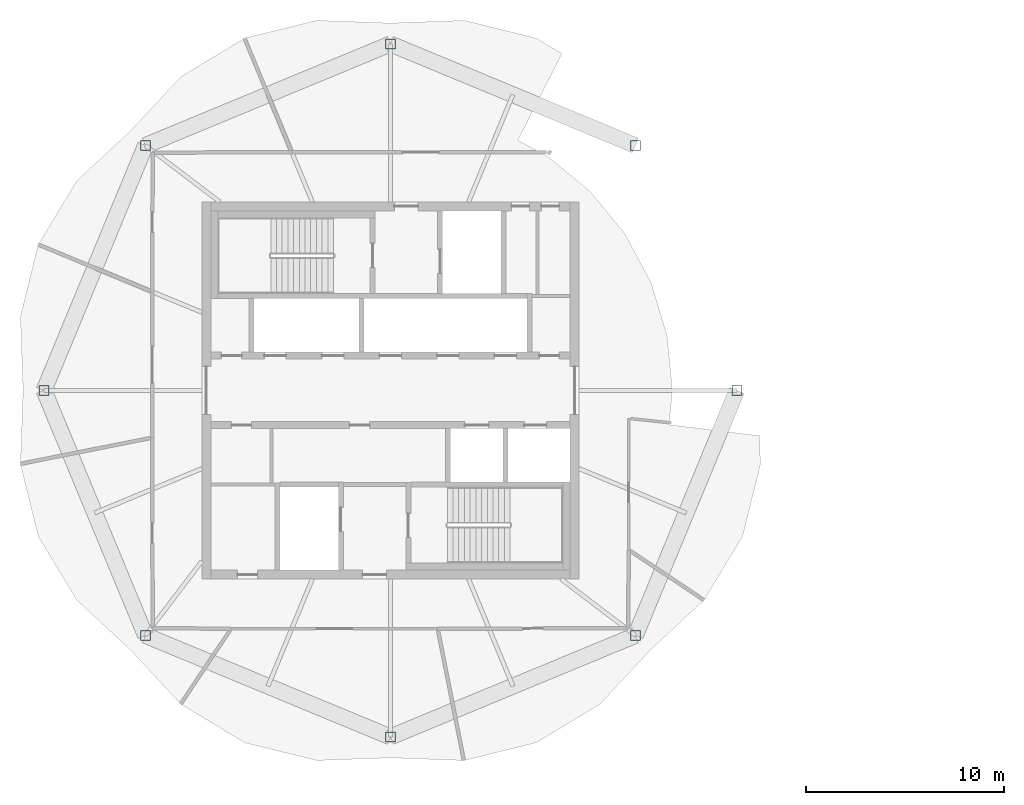
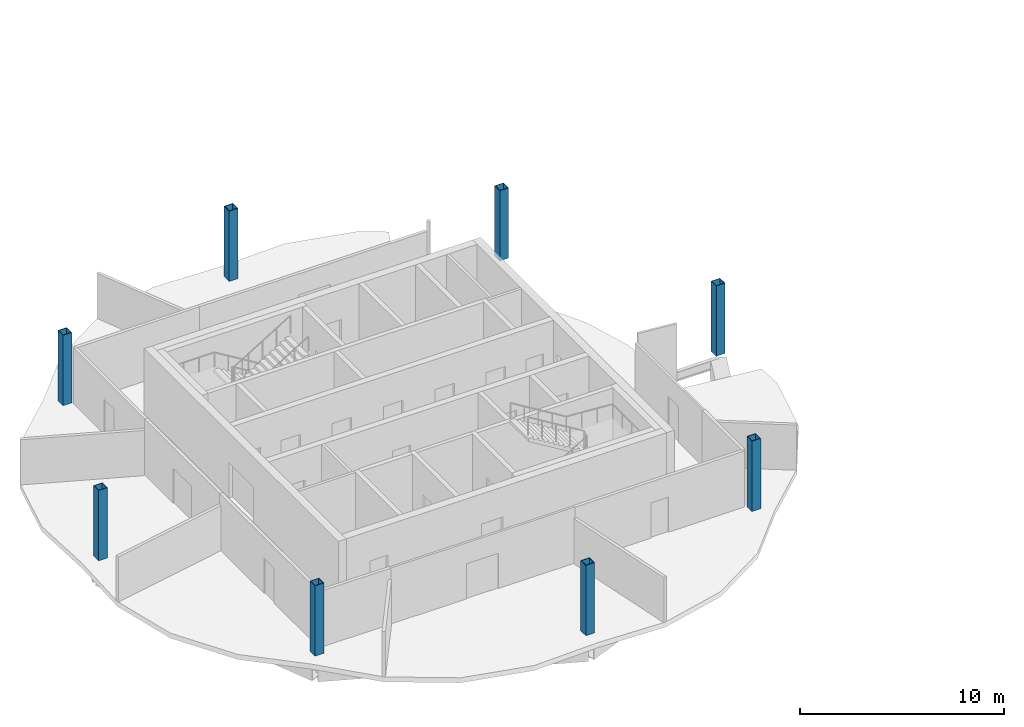
# One storey, part 1 of 11: 8 columns.
"""IFC4 building model written with IfcOpenShell, lengths in metres."""

from ifc_helpers import new_model, si_unit, direction, frame, origin, origin_2d, place, context, subcontext, project, spatial, hollow_rectangle, extrude, material, material_profile, profile_set, type_object, element, save


model = new_model("IFC4")

# Units and contexts
model_context = context("Model", 3, precision=1e-05, world=origin(), true_north=direction((0.0, 1.0)))
body_context = subcontext(model_context, "Body", "Model", "MODEL_VIEW")
ifc_project = project(units=[si_unit("LENGTHUNIT", "METRE"), si_unit("AREAUNIT", "SQUARE_METRE"), si_unit("VOLUMEUNIT", "CUBIC_METRE"), si_unit("PLANEANGLEUNIT", "RADIAN"), si_unit("MASSUNIT", "GRAM", prefix="KILO")], contexts=[model_context])

# Site, building, storey
site_placement = place(None, origin())
site = spatial("IfcSite", under=ifc_project, at=site_placement, CompositionType="ELEMENT")
building_placement = place(site_placement, origin())
building = spatial("IfcBuilding", under=site, at=building_placement, Name="Ogive Gate Towers", CompositionType="ELEMENT")
storey_placement = place(building_placement, frame((0.0, 0.0, 281.39990234375)))
storey = spatial("IfcBuildingStorey", under=building, at=storey_placement, Name="L66", CompositionType="ELEMENT", Elevation=281.39990234375)

# Columns
ifc_material = material(Name="Steel SM460", Category="steel")
ifc_material_profile = material_profile(ifc_material, hollow_rectangle(XDim=0.5, YDim=0.5, WallThickness=0.030029296875, at=origin_2d()), Name="BX 500x500x30")
ifc_profile_set = profile_set([ifc_material_profile], Name="Steel SM460")
column_type = type_object("IfcColumnType", Name="Perimeter post BX 500x500x30", PredefinedType="COLUMN", material=ifc_profile_set)
for number, where, z_axis, x_axis, name in (
    (1, (-18.544921875, 0.0, 0.0), (0.0, 0.0, 1.0), (1.0, 0.0, 0.0), "T1/L66/SCL001"),
    (2, (-23.657470703125, 12.342529296875, 0.0), (0.0, 0.0, 1.0), (1.0, 0.0, 0.0), "T1/L66/SCL002"),
    (3, (-36.0, 17.455078125, 0.0), (0.0, 0.0, 1.0), (1.0, 0.0, 0.0), "T1/L66/SCL003"),
    (4, (-48.342529296875, 12.342529296875, 0.0), (0.0, 0.0, 1.0), (1.0, 0.0, 0.0), "T1/L66/SCL004"),
    (5, (-53.455078125, 0.0, 0.0), (0.0, 0.0, 1.0), (1.0, 0.0, 0.0), "T1/L66/SCL005"),
    (6, (-48.342529296875, -12.342529296875, 0.0), (0.0, 0.0, 1.0), (1.0, 0.0, 0.0), "T1/L66/SCL006"),
    (7, (-36.0, -17.455078125, 0.0), (0.0, 0.0, 1.0), (1.0, 0.0, 0.0), "T1/L66/SCL007"),
    (8, (-23.657470703125, -12.342529296875, 0.0), (0.0, 0.0, 1.0), (1.0, 0.0, 0.0), "T1/L66/SCL008"),
):
    element("IfcColumn", number, at=place(storey_placement, frame(where, z_axis=z_axis, x_axis=x_axis)), inside=storey, type_object=column_type, Name=name, PredefinedType="COLUMN", context=body_context, shape_type="SweptSolid", body=[
        extrude(hollow_rectangle(XDim=0.5, YDim=0.5, WallThickness=0.030029296875, at=origin_2d()), origin(), (0.0, 0.0, 1.0), 4.2001953125),
    ])

save(model, "model.ifc")
